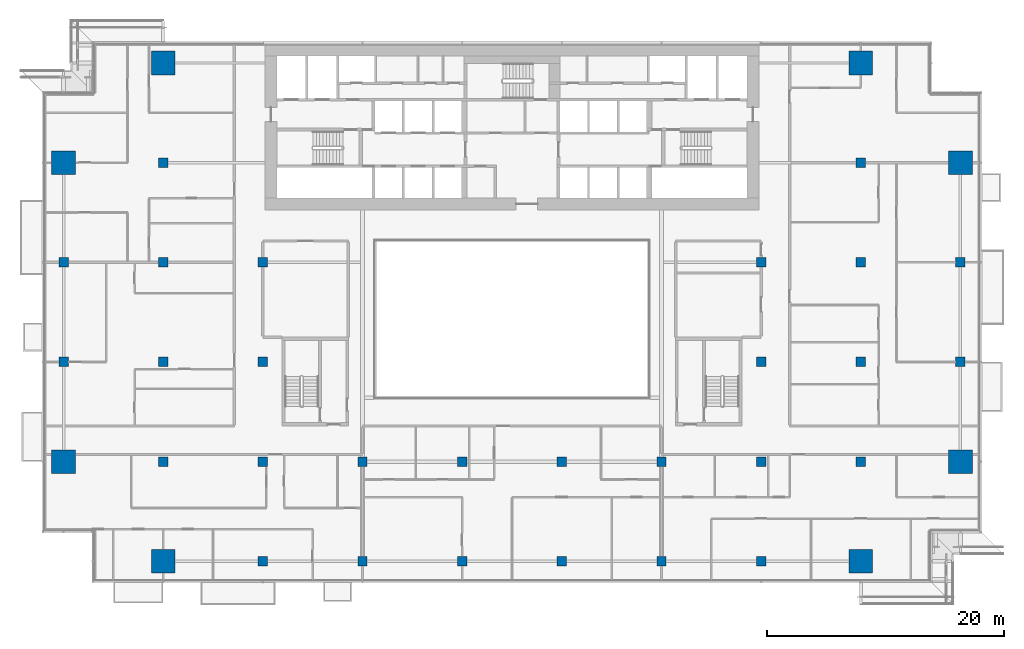
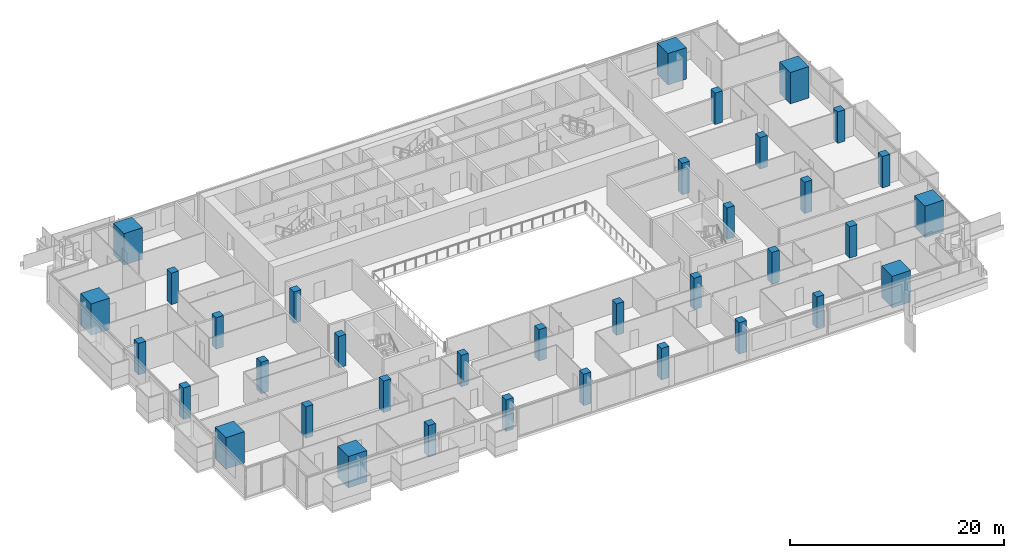
# One storey, part 1 of 29: 36 columns.
"""IFC4 building model written with IfcOpenShell, lengths in metres."""

from ifc_helpers import new_model, si_unit, direction, frame, origin, origin_2d, place, context, subcontext, project, spatial, rectangle, extrude, material, material_profile, profile_set, type_object, element, save


model = new_model("IFC4")

# Units and contexts
model_context = context("Model", 3, precision=1e-05, world=origin(), true_north=direction((0.0, 1.0)))
body_context = subcontext(model_context, "Body", "Model", "MODEL_VIEW")
ifc_project = project(units=[si_unit("LENGTHUNIT", "METRE"), si_unit("AREAUNIT", "SQUARE_METRE"), si_unit("VOLUMEUNIT", "CUBIC_METRE"), si_unit("PLANEANGLEUNIT", "RADIAN"), si_unit("MASSUNIT", "GRAM", prefix="KILO")], contexts=[model_context])

# Site, building, storey
site_placement = place(None, origin())
site = spatial("IfcSite", under=ifc_project, at=site_placement, CompositionType="ELEMENT")
building_placement = place(site_placement, origin())
building = spatial("IfcBuilding", under=site, at=building_placement, Name="Saffron Gate Tower", CompositionType="ELEMENT")
storey_placement = place(building_placement, frame((0.0, 0.0, 106.050048828125)))
storey = spatial("IfcBuildingStorey", under=building, at=storey_placement, Name="L24", CompositionType="ELEMENT", Elevation=106.050048828125)

# Columns
ifc_material_1 = material(Name="Concrete C60", Category="concrete")
ifc_material_profile_1 = material_profile(ifc_material_1, rectangle(XDim=0.800048828125, YDim=0.800048828125, at=origin_2d()))
ifc_profile_set_1 = profile_set([ifc_material_profile_1], Name="Concrete C60")
column_type_1 = type_object("IfcColumnType", Name="C5 RC 800x800 CONCRETE C60", PredefinedType="COLUMN", material=ifc_profile_set_1)
for number, where, z_axis, x_axis, name in (
    (1, (49.800048828125, 48.60009765625, 0.0), (0.0, 0.0, 1.0), (1.0, 0.0, 0.0), "C5 COLUMN X1-C"),
    (2, (49.800048828125, 57.0, 0.0), (0.0, 0.0, 1.0), (1.0, 0.0, 0.0), "C5 COLUMN X1-D"),
    (3, (58.199951171875, 40.199951171875, 0.0), (0.0, 0.0, 1.0), (1.0, 0.0, 0.0), "C5 COLUMN X2-B"),
    (4, (58.199951171875, 48.60009765625, 0.0), (0.0, 0.0, 1.0), (1.0, 0.0, 0.0), "C5 COLUMN X2-C"),
    (5, (58.199951171875, 57.0, 0.0), (0.0, 0.0, 1.0), (1.0, 0.0, 0.0), "C5 COLUMN X2-D"),
    (6, (58.199951171875, 65.39990234375, 0.0), (0.0, 0.0, 1.0), (1.0, 0.0, 0.0), "C5 COLUMN X2-E"),
    (7, (66.60009765625, 31.800048828125, 0.0), (0.0, 0.0, 1.0), (1.0, 0.0, 0.0), "C5 COLUMN X3-A"),
    (8, (66.60009765625, 40.199951171875, 0.0), (0.0, 0.0, 1.0), (1.0, 0.0, 0.0), "C5 COLUMN X3-B"),
    (9, (66.60009765625, 48.60009765625, 0.0), (0.0, 0.0, 1.0), (1.0, 0.0, 0.0), "C5 COLUMN X3-C"),
    (10, (66.60009765625, 57.0, 0.0), (0.0, 0.0, 1.0), (1.0, 0.0, 0.0), "C5 COLUMN X3-D"),
    (11, (75.0, 31.800048828125, 0.0), (0.0, 0.0, 1.0), (1.0, 0.0, 0.0), "C5 COLUMN X4-A"),
    (12, (75.0, 40.199951171875, 0.0), (0.0, 0.0, 1.0), (1.0, 0.0, 0.0), "C5 COLUMN X4-B"),
    (13, (83.39990234375, 31.800048828125, 0.0), (0.0, 0.0, 1.0), (1.0, 0.0, 0.0), "C5 COLUMN X5-A"),
    (14, (83.39990234375, 40.199951171875, 0.0), (0.0, 0.0, 1.0), (1.0, 0.0, 0.0), "C5 COLUMN X5-B"),
    (15, (91.800048828125, 31.800048828125, 0.0), (0.0, 0.0, 1.0), (1.0, 0.0, 0.0), "C5 COLUMN X6-A"),
    (16, (91.800048828125, 40.199951171875, 0.0), (0.0, 0.0, 1.0), (1.0, 0.0, 0.0), "C5 COLUMN X6-B"),
    (17, (100.199951171875, 31.800048828125, 0.0), (0.0, 0.0, 1.0), (1.0, 0.0, 0.0), "C5 COLUMN X7-A"),
    (18, (100.199951171875, 40.199951171875, 0.0), (0.0, 0.0, 1.0), (1.0, 0.0, 0.0), "C5 COLUMN X7-B"),
    (19, (108.60009765625, 31.800048828125, 0.0), (0.0, 0.0, 1.0), (1.0, 0.0, 0.0), "C5 COLUMN X8-A"),
    (20, (108.60009765625, 40.199951171875, 0.0), (0.0, 0.0, 1.0), (1.0, 0.0, 0.0), "C5 COLUMN X8-B"),
    (21, (108.60009765625, 48.60009765625, 0.0), (0.0, 0.0, 1.0), (1.0, 0.0, 0.0), "C5 COLUMN X8-C"),
    (22, (108.60009765625, 57.0, 0.0), (0.0, 0.0, 1.0), (1.0, 0.0, 0.0), "C5 COLUMN X8-D"),
    (23, (117.0, 40.199951171875, 0.0), (0.0, 0.0, 1.0), (1.0, 0.0, 0.0), "C5 COLUMN X9-B"),
    (24, (117.0, 48.60009765625, 0.0), (0.0, 0.0, 1.0), (1.0, 0.0, 0.0), "C5 COLUMN X9-C"),
    (25, (117.0, 57.0, 0.0), (0.0, 0.0, 1.0), (1.0, 0.0, 0.0), "C5 COLUMN X9-D"),
    (26, (117.0, 65.39990234375, 0.0), (0.0, 0.0, 1.0), (1.0, 0.0, 0.0), "C5 COLUMN X9-E"),
    (27, (125.39990234375, 48.60009765625, 0.0), (0.0, 0.0, 1.0), (1.0, 0.0, 0.0), "C5 COLUMN X10-C"),
    (28, (125.39990234375, 57.0, 0.0), (0.0, 0.0, 1.0), (1.0, 0.0, 0.0), "C5 COLUMN X10-D"),
):
    element("IfcColumn", number, at=place(storey_placement, frame(where, z_axis=z_axis, x_axis=x_axis)), inside=storey, type_object=column_type_1, Name=name, PredefinedType="COLUMN", context=body_context, shape_type="SweptSolid", body=[
        extrude(rectangle(XDim=0.800048828125, YDim=0.800048828125, at=origin_2d()), origin(), (0.0, 0.0, 1.0), 3.599853515625),
    ])
ifc_material_2 = material(Name="Concrete C80", Category="concrete")
ifc_material_profile_2 = material_profile(ifc_material_2, rectangle(XDim=2.0, YDim=2.0, at=origin_2d()))
ifc_profile_set_2 = profile_set([ifc_material_profile_2], Name="Concrete C80")
column_type_2 = type_object("IfcColumnType", Name="MC3 RC 2000x2000 CONCRETE C80", PredefinedType="COLUMN", material=ifc_profile_set_2)
for number, where, z_axis, x_axis, name in (
    (29, (49.800048828125, 40.199951171875, 0.0), (0.0, 0.0, 1.0), (1.0, 0.0, 0.0), "MC3 MEGA COLUMN X1-B"),
    (30, (49.800048828125, 65.39990234375, 0.0), (0.0, 0.0, 1.0), (1.0, 0.0, 0.0), "MC3 MEGA COLUMN X1-E"),
    (31, (58.199951171875, 31.800048828125, 0.0), (0.0, 0.0, 1.0), (1.0, 0.0, 0.0), "MC3 MEGA COLUMN X2-A"),
    (32, (58.199951171875, 73.800048828125, 0.0), (0.0, 0.0, 1.0), (1.0, 0.0, 0.0), "MC3 MEGA COLUMN X2-F"),
    (33, (117.0, 31.800048828125, 0.0), (0.0, 0.0, 1.0), (1.0, 0.0, 0.0), "MC3 MEGA COLUMN X9-A"),
    (34, (117.0, 73.800048828125, 0.0), (0.0, 0.0, 1.0), (1.0, 0.0, 0.0), "MC3 MEGA COLUMN X9-F"),
    (35, (125.39990234375, 40.199951171875, 0.0), (0.0, 0.0, 1.0), (1.0, 0.0, 0.0), "MC3 MEGA COLUMN X10-B"),
    (36, (125.39990234375, 65.39990234375, 0.0), (0.0, 0.0, 1.0), (1.0, 0.0, 0.0), "MC3 MEGA COLUMN X10-E"),
):
    element("IfcColumn", number, at=place(storey_placement, frame(where, z_axis=z_axis, x_axis=x_axis)), inside=storey, type_object=column_type_2, Name=name, PredefinedType="COLUMN", context=body_context, shape_type="SweptSolid", body=[
        extrude(rectangle(XDim=2.0, YDim=2.0, at=origin_2d()), origin(), (0.0, 0.0, 1.0), 3.599853515625),
    ])

save(model, "model.ifc")
